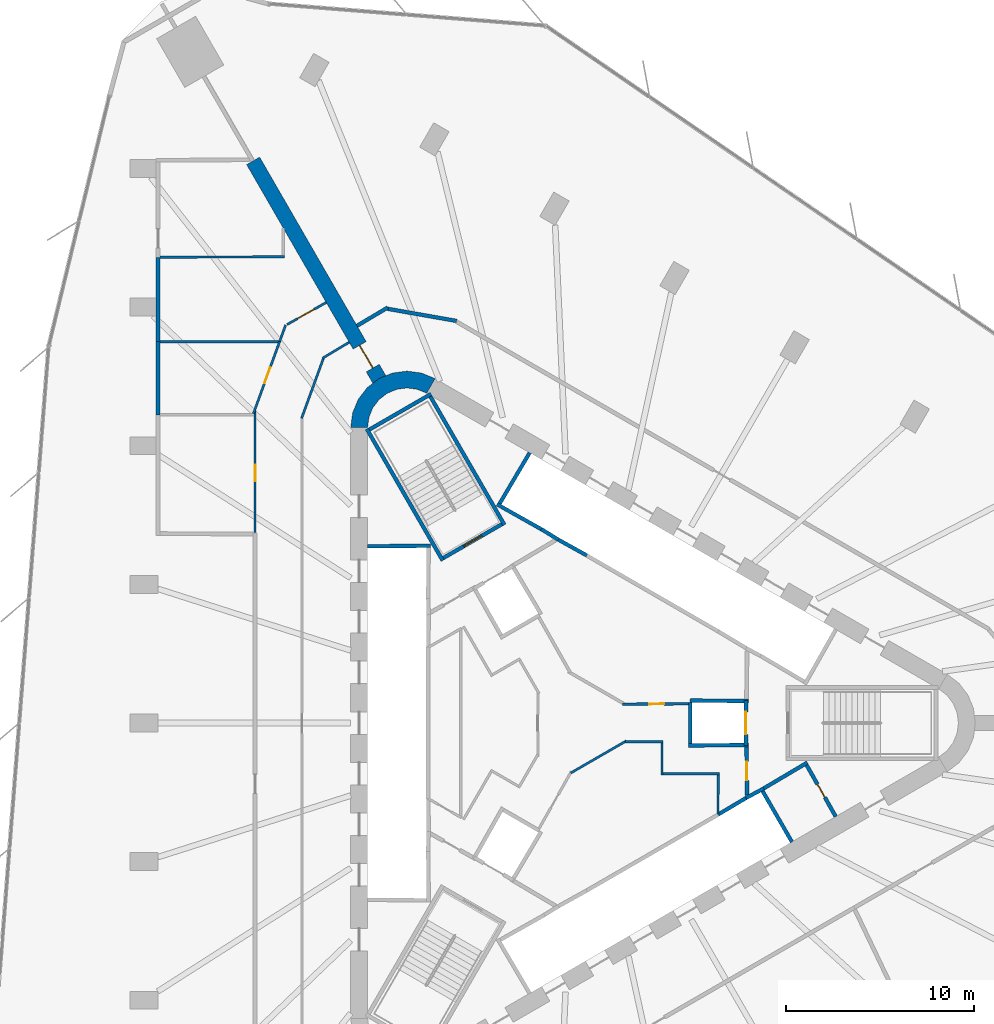
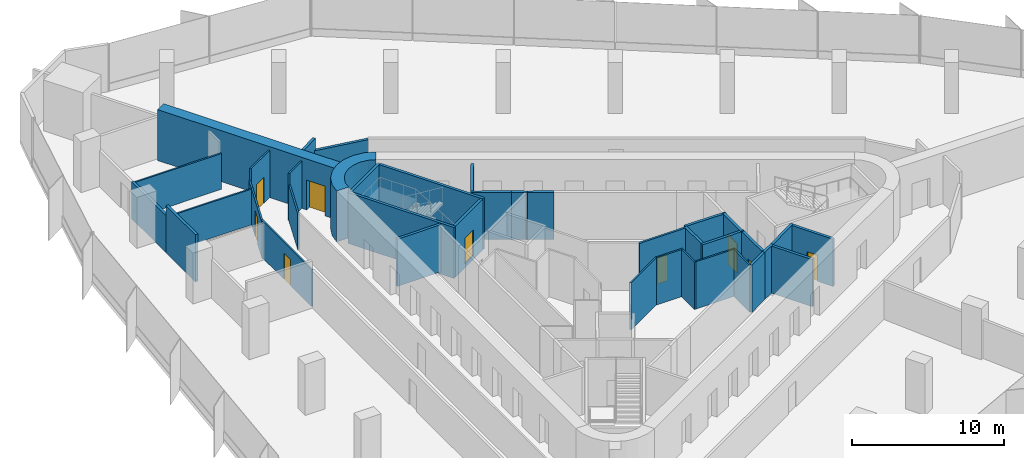
# One storey, part 11 of 14: 39 walls, 9 doors, 9 openings.
"""IFC4 building model written with IfcOpenShell, lengths in metres."""

from ifc_helpers import new_model, si_unit, direction, frame, frame_2d, origin, place, context, subcontext, project, spatial, polyline, rectangle, outline, extrude, material, layer, layer_set, type_object, element, fill, save


model = new_model("IFC4")

# Units and contexts
model_context = context("Model", 3, precision=1e-05, world=origin(), true_north=direction((0.0, 1.0)))
body_context = subcontext(model_context, "Body", "Model", "MODEL_VIEW")
ifc_project = project(units=[si_unit("LENGTHUNIT", "METRE"), si_unit("AREAUNIT", "SQUARE_METRE"), si_unit("VOLUMEUNIT", "CUBIC_METRE"), si_unit("PLANEANGLEUNIT", "RADIAN"), si_unit("MASSUNIT", "GRAM", prefix="KILO")], contexts=[model_context])

# Site, building, storey
site_placement = place(None, origin())
site = spatial("IfcSite", under=ifc_project, at=site_placement, CompositionType="ELEMENT")
building_placement = place(site_placement, origin())
building = spatial("IfcBuilding", under=site, at=building_placement, Name="Tanit Gate Tower", CompositionType="ELEMENT")
storey_placement = place(building_placement, frame((0.0, 0.0, 90.60009765625)))
storey = spatial("IfcBuildingStorey", under=building, at=storey_placement, Name="L18", CompositionType="ELEMENT", Elevation=90.60009765625)

# Wall, opening, door
ifc_material_1 = material(Name="Concrete C60/75", Category="concrete")
ifc_layer_1 = layer(ifc_material_1, 0.800048828125)
ifc_layer_set_1 = layer_set([ifc_layer_1], Name="BUTTRESS FIN 800 C60/75")
wall_type_1 = type_object("IfcWallType", Name="BUTTRESS FIN 800 C60/75", PredefinedType="SHEAR", material=ifc_layer_set_1)
wall_1_placement = place(storey_placement, frame((-10.574951171875, 18.31640625, 0.0), z_axis=(0.0, 0.0, 1.0), x_axis=(-0.499995223427, 0.866028161523, 0.0)))
wall_1 = element("IfcWall", 1, at=wall_1_placement, inside=storey, type_object=wall_type_1, Name="BUTTRESS FIN", PredefinedType="SHEAR", context=body_context, shape_type="SweptSolid", body=[
    extrude(rectangle(XDim=13.455322265625, YDim=0.800048828125, at=frame_2d((6.7275390625, 0.0))), origin(), (0.0, 0.0, 1.0), 4.099853515625),
])
opening_1_placement = place(wall_1_placement, frame((0.699951171875, 0.0, 0.0)))
opening_1 = element("IfcOpeningElement", 2, at=opening_1_placement, cuts=wall_1, Name="Opening P14-S03-F-NW-1", PredefinedType="OPENING", context=body_context, shape_type="SweptSolid", body=[
    extrude(rectangle(XDim=1.39990234375, YDim=2.39990234375, at=frame_2d((0.699951171875, 1.199951171875))), frame((0.0, 0.41015625, 0.0), z_axis=(0.0, -1.0, 0.0), x_axis=(1.0, 0.0, 0.0)), (0.0, 0.0, 1.0), 0.820068359375),
])
ifc_material_2 = material(Name="Timber door leaf", Category="wood")
door_type_1 = type_object("IfcDoorType", Name="INT-DOOR-FIN-PAIR-1400", OperationType="NOTDEFINED", PredefinedType="NOTDEFINED", material=ifc_material_2)
door_1_placement = place(opening_1_placement, origin())
door_1 = element("IfcDoor", 3, at=door_1_placement, inside=storey, type_object=door_type_1, Name="Door P14-S03-F-NW-1", OperationType="DOUBLE_DOOR_SINGLE_SWING", OverallHeight=2.39990234375, OverallWidth=1.39990234375, PredefinedType="NOTDEFINED", context=body_context, shape_type="SweptSolid", body=[
    extrude(rectangle(XDim=1.39990234375, YDim=2.39990234375, at=frame_2d((0.699951171875, 1.199951171875))), frame((0.0, 0.02490234375, 0.0), z_axis=(0.0, -1.0, 0.0), x_axis=(1.0, 0.0, 0.0)), (0.0, 0.0, 1.0), 0.050048828125),
])
fill(opening_1, door_1)

# Walls
ifc_material_3 = material(Name="Concrete C60/75", Category="concrete")
ifc_layer_2 = layer(ifc_material_3, 0.89990234375)
ifc_layer_set_2 = layer_set([ifc_layer_2], Name="CORE WALL 900 C60/75")
wall_type_2 = type_object("IfcWallType", Name="CORE WALL 900 C60/75", PredefinedType="SHEAR", material=ifc_layer_set_2)
wall_2_placement = place(storey_placement, origin())
element("IfcWall", 4, at=wall_2_placement, inside=storey, type_object=wall_type_2, Name="CORE WALL CORNER", PredefinedType="SHEAR", context=body_context, shape_type="SweptSolid", body=[
    extrude(outline(polyline([(-7.60009765625, 18.359619140625), (-8.323486328125, 18.659423828125), (-9.10009765625, 18.76171875), (-9.87646484375, 18.659423828125), (-10.60009765625, 18.359619140625), (-11.22119140625, 17.883056640625), (-11.697998046875, 17.26171875), (-11.997802734375, 16.5380859375), (-12.10009765625, 15.76171875), (-11.199951171875, 15.76171875), (-11.12841796875, 16.30517578125), (-10.918701171875, 16.811767578125), (-10.5849609375, 17.24658203125), (-10.14990234375, 17.580322265625), (-9.6435546875, 17.7900390625), (-9.10009765625, 17.86181640625), (-8.556396484375, 17.7900390625), (-8.050048828125, 17.580322265625), (-7.60009765625, 18.359619140625)])), origin(), (0.0, 0.0, 1.0), 4.099853515625),
])
ifc_material_4 = material(Name="Fire-rated gypsum board partition")
ifc_layer_3 = layer(ifc_material_4, 0.199951171875)
ifc_layer_set_3 = layer_set([ifc_layer_3], Name="INT-WALL-COMPARTMENT")
wall_type_3 = type_object("IfcWallType", Name="INT-WALL-COMPARTMENT", PredefinedType="PARTITIONING", material=ifc_layer_set_3)
wall_3_placement = place(storey_placement, frame((12.244873046875, -2.10888671875, 0.0), z_axis=(0.0, 0.0, 1.0), x_axis=(-0.860414880418, -0.509594185166, 0.0)))
element("IfcWall", 5, at=wall_3_placement, inside=storey, type_object=wall_type_3, Name="Wall Compartment W057", PredefinedType="PARTITIONING", context=body_context, shape_type="SweptSolid", body=[
    extrude(rectangle(XDim=2.7001953125, YDim=0.199951171875, at=frame_2d((1.35009765625, 0.0))), origin(), (0.0, 0.0, 1.0), 3.7998046875),
])

# Wall, opening, door
wall_4_placement = place(storey_placement, frame((13.758056640625, -4.989501953125, 0.0), z_axis=(0.0, 0.0, 1.0), x_axis=(-0.491993409184, 0.87059892334, 0.0)))
wall_4 = element("IfcWall", 6, at=wall_4_placement, inside=storey, type_object=wall_type_3, Name="Wall Compartment W058", PredefinedType="PARTITIONING", context=body_context, shape_type="SweptSolid", body=[
    extrude(rectangle(XDim=3.150146484375, YDim=0.199951171875, at=frame_2d((1.5751953125, 0.0))), origin(), (0.0, 0.0, 1.0), 3.7998046875),
])
opening_2_placement = place(wall_4_placement, frame((1.175048828125, 0.0, 0.0)))
opening_2 = element("IfcOpeningElement", 7, at=opening_2_placement, cuts=wall_4, Name="Opening R08-S03-14", PredefinedType="OPENING", context=body_context, shape_type="SweptSolid", body=[
    extrude(rectangle(XDim=0.800048828125, YDim=2.10009765625, at=frame_2d((0.39990234375, 1.050048828125))), frame((0.0, 0.10986328125, 0.0), z_axis=(0.0, -1.0, 0.0), x_axis=(1.0, 0.0, 0.0)), (0.0, 0.0, 1.0), 0.219970703125),
])
ifc_material_5 = material(Name="Timber door leaf", Category="wood")
door_type_2 = type_object("IfcDoorType", Name="INT-DOOR-RISER-800", OperationType="NOTDEFINED", PredefinedType="USERDEFINED", material=ifc_material_5)
door_2_placement = place(opening_2_placement, origin())
door_2 = element("IfcDoor", 8, at=door_2_placement, inside=storey, type_object=door_type_2, Name="Door R08-S03-14", ObjectType="FIRE DOOR", OperationType="SINGLE_SWING_RIGHT", OverallHeight=2.10009765625, OverallWidth=0.800048828125, PredefinedType="USERDEFINED", context=body_context, shape_type="SweptSolid", body=[
    extrude(rectangle(XDim=0.800048828125, YDim=2.10009765625, at=frame_2d((0.39990234375, 1.050048828125))), frame((0.0, 0.02490234375, 0.0), z_axis=(0.0, -1.0, 0.0), x_axis=(1.0, 0.0, 0.0)), (0.0, 0.0, 1.0), 0.050048828125),
])
fill(opening_2, door_2)

wall_5_placement = place(storey_placement, frame((9.02880859375, -3.850830078125, 0.0), z_axis=(0.0, 0.0, 1.0), x_axis=(-0.010783593937, 0.99994185536, 0.0)))
wall_5 = element("IfcWall", 9, at=wall_5_placement, inside=storey, type_object=wall_type_3, Name="Wall Compartment W060", PredefinedType="PARTITIONING", context=body_context, shape_type="SweptSolid", body=[
    extrude(rectangle(XDim=2.5810546875, YDim=0.199951171875, at=frame_2d((1.29052734375, 0.0))), origin(), (0.0, 0.0, 1.0), 3.7998046875),
])
opening_3_placement = place(wall_5_placement, frame((0.79052734375, 0.0, 0.0)))
opening_3 = element("IfcOpeningElement", 10, at=opening_3_placement, cuts=wall_5, Name="Opening F10-S03-02", PredefinedType="OPENING", context=body_context, shape_type="SweptSolid", body=[
    extrude(rectangle(XDim=1.0, YDim=2.10009765625, at=frame_2d((0.5, 1.050048828125))), frame((0.0, 0.10986328125, 0.0), z_axis=(0.0, -1.0, 0.0), x_axis=(1.0, 0.0, 0.0)), (0.0, 0.0, 1.0), 0.219970703125),
])
ifc_material_6 = material(Name="Fire-rated steel door leaf", Category="steel")
door_type_3 = type_object("IfcDoorType", Name="INT-DOOR-FIRE-1000", OperationType="NOTDEFINED", PredefinedType="USERDEFINED", material=ifc_material_6)
door_3_placement = place(opening_3_placement, origin())
door_3 = element("IfcDoor", 11, at=door_3_placement, inside=storey, type_object=door_type_3, Name="Door F10-S03-02", ObjectType="FIRE DOOR", OperationType="SINGLE_SWING_RIGHT", OverallHeight=2.10009765625, OverallWidth=1.0, PredefinedType="USERDEFINED", context=body_context, shape_type="SweptSolid", body=[
    extrude(rectangle(XDim=1.0, YDim=2.10009765625, at=frame_2d((0.5, 1.050048828125))), frame((0.0, 0.02490234375, 0.0), z_axis=(0.0, -1.0, 0.0), x_axis=(1.0, 0.0, 0.0)), (0.0, 0.0, 1.0), 0.050048828125),
])
fill(opening_3, door_3)

# Walls
wall_6_placement = place(storey_placement, frame((-10.11767578125, 22.157470703125, 0.0), z_axis=(0.0, 0.0, 1.0), x_axis=(-0.859118225537, -0.511777172752, 0.0)))
element("IfcWall", 12, at=wall_6_placement, inside=storey, type_object=wall_type_3, Name="Wall Compartment W096", PredefinedType="PARTITIONING", context=body_context, shape_type="SweptSolid", body=[
    extrude(rectangle(XDim=1.916748046875, YDim=0.199951171875, at=frame_2d((0.95849609375, 0.0))), origin(), (0.0, 0.0, 1.0), 3.7998046875),
])
wall_7_placement = place(storey_placement, frame((-6.458984375, 21.435546875, 0.0), z_axis=(0.0, 0.0, 1.0), x_axis=(-0.984812903812, 0.173618963498, 0.0)))
element("IfcWall", 13, at=wall_7_placement, inside=storey, type_object=wall_type_3, Name="Wall Compartment W097", PredefinedType="PARTITIONING", context=body_context, shape_type="SweptSolid", body=[
    extrude(rectangle(XDim=3.76708984375, YDim=0.199951171875, at=frame_2d((1.883544921875, 0.0))), origin(), (0.0, 0.0, 1.0), 2.8798828125),
])
wall_8_placement = place(storey_placement, frame((-22.3701171875, 16.431396484375, 0.0), z_axis=(0.0, 0.0, 1.0), x_axis=(0.0, 1.0, 0.0)))
element("IfcWall", 14, at=wall_8_placement, inside=storey, type_object=wall_type_3, Name="Wall Compartment W113", PredefinedType="PARTITIONING", context=body_context, shape_type="SweptSolid", body=[
    extrude(rectangle(XDim=3.89794921875, YDim=0.199951171875, at=frame_2d((1.948974609375, 0.0))), origin(), (0.0, 0.0, 1.0), 3.7998046875),
])
wall_9_placement = place(storey_placement, frame((-22.3701171875, 20.329345703125, 0.0), z_axis=(0.0, 0.0, 1.0), x_axis=(0.0, 1.0, 0.0)))
element("IfcWall", 15, at=wall_9_placement, inside=storey, type_object=wall_type_3, Name="Wall Compartment W114", PredefinedType="PARTITIONING", context=body_context, shape_type="SweptSolid", body=[
    extrude(rectangle(XDim=4.499755859375, YDim=0.199951171875, at=frame_2d((2.25, 0.0))), origin(), (0.0, 0.0, 1.0), 2.97998046875),
])
ifc_material_7 = material(Name="Gypsum board partition")
ifc_layer_4 = layer(ifc_material_7, 0.1201171875)
ifc_layer_set_4 = layer_set([ifc_layer_4], Name="INT-WALL-PARTITION")
wall_type_4 = type_object("IfcWallType", Name="INT-WALL-PARTITION", PredefinedType="PARTITIONING", material=ifc_layer_set_4)
wall_10_placement = place(storey_placement, frame((2.6015625, -0.947998046875, 0.0), z_axis=(0.0, 0.0, 1.0), x_axis=(-0.866025804792, -0.499999305434, 0.0)))
element("IfcWall", 16, at=wall_10_placement, inside=storey, type_object=wall_type_4, Name="Wall Partition W069", PredefinedType="PARTITIONING", context=body_context, shape_type="SweptSolid", body=[
    extrude(rectangle(XDim=3.43505859375, YDim=0.1201171875, at=frame_2d((1.717529296875, 0.0))), origin(), (0.0, 0.0, 1.0), 3.7998046875),
])
wall_11_placement = place(storey_placement, frame((4.56005859375, -1.0, 0.0), z_axis=(0.0, 0.0, 1.0), x_axis=(-1.0, 0.0, 0.0)))
element("IfcWall", 17, at=wall_11_placement, inside=storey, type_object=wall_type_4, Name="Wall Partition W070", PredefinedType="PARTITIONING", context=body_context, shape_type="SweptSolid", body=[
    extrude(rectangle(XDim=2.030029296875, YDim=0.1201171875, at=frame_2d((1.01513671875, 0.0))), origin(), (0.0, 0.0, 1.0), 3.7998046875),
])
wall_12_placement = place(storey_placement, frame((4.5, -2.760009765625, 0.0), z_axis=(0.0, 0.0, 1.0), x_axis=(0.0, 1.0, 0.0)))
element("IfcWall", 18, at=wall_12_placement, inside=storey, type_object=wall_type_4, Name="Wall Partition W071", PredefinedType="PARTITIONING", context=body_context, shape_type="SweptSolid", body=[
    extrude(rectangle(XDim=1.699951171875, YDim=0.1201171875, at=frame_2d((0.85009765625, 0.0))), origin(), (0.0, 0.0, 1.0), 3.7998046875),
])
wall_13_placement = place(storey_placement, frame((7.56005859375, -2.699951171875, 0.0), z_axis=(0.0, 0.0, 1.0), x_axis=(-1.0, 0.0, 0.0)))
element("IfcWall", 19, at=wall_13_placement, inside=storey, type_object=wall_type_4, Name="Wall Partition W072", PredefinedType="PARTITIONING", context=body_context, shape_type="SweptSolid", body=[
    extrude(rectangle(XDim=3.0, YDim=0.1201171875, at=frame_2d((1.5, 0.0))), origin(), (0.0, 0.0, 1.0), 3.7998046875),
])
wall_14_placement = place(storey_placement, frame((7.474609375, -4.864501953125, 0.0), z_axis=(0.0, 0.0, 1.0), x_axis=(0.011716133148, 0.999931363757, 0.0)))
element("IfcWall", 20, at=wall_14_placement, inside=storey, type_object=wall_type_4, Name="Wall Partition W073", PredefinedType="PARTITIONING", context=body_context, shape_type="SweptSolid", body=[
    extrude(rectangle(XDim=2.104736328125, YDim=0.1201171875, at=frame_2d((1.05224609375, 0.0))), origin(), (0.0, 0.0, 1.0), 3.7998046875),
])
wall_15_placement = place(storey_placement, frame((-12.181396484375, 20.299072265625, 0.0), z_axis=(0.0, 0.0, 1.0), x_axis=(-0.8583241935, -0.51310776534, 0.0)))
element("IfcWall", 21, at=wall_15_placement, inside=storey, type_object=wall_type_4, Name="Wall Partition W084", PredefinedType="PARTITIONING", context=body_context, shape_type="SweptSolid", body=[
    extrude(rectangle(XDim=1.65625, YDim=0.1201171875, at=frame_2d((0.828125, 0.0))), origin(), (0.0, 0.0, 1.0), 3.7998046875),
])
wall_16_placement = place(storey_placement, frame((-13.54931640625, 19.461181640625, 0.0), z_axis=(0.0, 0.0, 1.0), x_axis=(-0.341989191955, -0.939703885586, 0.0)))
element("IfcWall", 22, at=wall_16_placement, inside=storey, type_object=wall_type_4, Name="Wall Partition W085", PredefinedType="PARTITIONING", context=body_context, shape_type="SweptSolid", body=[
    extrude(rectangle(XDim=3.424560546875, YDim=0.1201171875, at=frame_2d((1.71240234375, 0.0))), origin(), (0.0, 0.0, 1.0), 2.8798828125),
])

# Wall, opening, door
wall_17_placement = place(storey_placement, frame((-17.199951171875, 16.740234375, 0.0), z_axis=(0.0, 0.0, 1.0), x_axis=(0.0, -1.0, 0.0)))
wall_17 = element("IfcWall", 23, at=wall_17_placement, inside=storey, type_object=wall_type_4, Name="Wall Partition W092", PredefinedType="PARTITIONING", context=body_context, shape_type="SweptSolid", body=[
    extrude(rectangle(XDim=6.5703125, YDim=0.1201171875, at=frame_2d((3.28515625, 0.0))), origin(), (0.0, 0.0, 1.0), 2.97998046875),
])
opening_4_placement = place(wall_17_placement, frame((2.959716796875, 0.0, 0.0)))
opening_4 = element("IfcOpeningElement", 24, at=opening_4_placement, cuts=wall_17, Name="Opening D09-S03-16", PredefinedType="OPENING", context=body_context, shape_type="SweptSolid", body=[
    extrude(rectangle(XDim=0.89990234375, YDim=2.10009765625, at=frame_2d((0.449951171875, 1.050048828125))), frame((0.0, 0.070068359375, 0.0), z_axis=(0.0, -1.0, 0.0), x_axis=(1.0, 0.0, 0.0)), (0.0, 0.0, 1.0), 0.14013671875),
])
ifc_material_8 = material(Name="Timber door leaf", Category="wood")
door_type_4 = type_object("IfcDoorType", Name="INT-DOOR-SINGLE-900", OperationType="NOTDEFINED", PredefinedType="NOTDEFINED", material=ifc_material_8)
door_4_placement = place(opening_4_placement, origin())
door_4 = element("IfcDoor", 25, at=door_4_placement, inside=storey, type_object=door_type_4, Name="Door D09-S03-16", OperationType="SINGLE_SWING_LEFT", OverallHeight=2.10009765625, OverallWidth=0.89990234375, PredefinedType="NOTDEFINED", context=body_context, shape_type="SweptSolid", body=[
    extrude(rectangle(XDim=0.89990234375, YDim=2.10009765625, at=frame_2d((0.449951171875, 1.050048828125))), frame((0.0, 0.02490234375, 0.0), z_axis=(0.0, -1.0, 0.0), x_axis=(1.0, 0.0, 0.0)), (0.0, 0.0, 1.0), 0.050048828125),
])
fill(opening_4, door_4)

# Wall
wall_18_placement = place(storey_placement, frame((-15.5703125, 21.218017578125, 0.0), z_axis=(0.0, 0.0, 1.0), x_axis=(-0.342015355476, -0.939694363407, 0.0)))
element("IfcWall", 26, at=wall_18_placement, inside=storey, type_object=wall_type_4, Name="Wall Partition W094", PredefinedType="PARTITIONING", context=body_context, shape_type="SweptSolid", body=[
    extrude(rectangle(XDim=0.935791015625, YDim=0.1201171875, at=frame_2d((0.4677734375, 0.0))), origin(), (0.0, 0.0, 1.0), 2.8798828125),
])

# Wall, opening, door
wall_19_placement = place(storey_placement, frame((-15.890380859375, 20.338623046875, 0.0), z_axis=(0.0, 0.0, 1.0), x_axis=(-0.341977654868, -0.939708084232, 0.0)))
wall_19 = element("IfcWall", 27, at=wall_19_placement, inside=storey, type_object=wall_type_4, Name="Wall Partition W093", PredefinedType="PARTITIONING", context=body_context, shape_type="SweptSolid", body=[
    extrude(rectangle(XDim=4.09423828125, YDim=0.1201171875, at=frame_2d((2.047119140625, 0.0))), origin(), (0.0, 0.0, 1.0), 2.8798828125),
])
opening_5_placement = place(wall_19_placement, frame((1.464599609375, 0.0, 0.0)))
opening_5 = element("IfcOpeningElement", 28, at=opening_5_placement, cuts=wall_19, Name="Opening D09-S03-17", PredefinedType="OPENING", context=body_context, shape_type="SweptSolid", body=[
    extrude(rectangle(XDim=0.89990234375, YDim=2.10009765625, at=frame_2d((0.449951171875, 1.050048828125))), frame((0.0, 0.070068359375, 0.0), z_axis=(0.0, -1.0, 0.0), x_axis=(1.0, 0.0, 0.0)), (0.0, 0.0, 1.0), 0.14013671875),
])
door_5_placement = place(opening_5_placement, origin())
door_5 = element("IfcDoor", 29, at=door_5_placement, inside=storey, type_object=door_type_4, Name="Door D09-S03-17", OperationType="SINGLE_SWING_RIGHT", OverallHeight=2.10009765625, OverallWidth=0.89990234375, PredefinedType="NOTDEFINED", context=body_context, shape_type="SweptSolid", body=[
    extrude(rectangle(XDim=0.89990234375, YDim=2.10009765625, at=frame_2d((0.449951171875, 1.050048828125))), frame((0.0, 0.02490234375, 0.0), z_axis=(0.0, -1.0, 0.0), x_axis=(1.0, 0.0, 0.0)), (0.0, 0.0, 1.0), 0.050048828125),
])
fill(opening_5, door_5)

wall_20_placement = place(storey_placement, frame((-13.406494140625, 22.4208984375, 0.0), z_axis=(0.0, 0.0, 1.0), x_axis=(-0.87117593963, -0.490970958622, 0.0)))
wall_20 = element("IfcWall", 30, at=wall_20_placement, inside=storey, type_object=wall_type_4, Name="Wall Partition W095", PredefinedType="PARTITIONING", context=body_context, shape_type="SweptSolid", body=[
    extrude(rectangle(XDim=2.400390625, YDim=0.1201171875, at=frame_2d((1.2001953125, 0.0))), origin(), (0.0, 0.0, 1.0), 3.7998046875),
])
opening_6_placement = place(wall_20_placement, frame((0.75, 0.0, 0.0)))
opening_6 = element("IfcOpeningElement", 31, at=opening_6_placement, cuts=wall_20, Name="Opening D10-S03-18", PredefinedType="OPENING", context=body_context, shape_type="SweptSolid", body=[
    extrude(rectangle(XDim=1.0, YDim=2.10009765625, at=frame_2d((0.5, 1.050048828125))), frame((0.0, 0.070068359375, 0.0), z_axis=(0.0, -1.0, 0.0), x_axis=(1.0, 0.0, 0.0)), (0.0, 0.0, 1.0), 0.14013671875),
])
ifc_material_9 = material(Name="Timber door leaf", Category="wood")
door_type_5 = type_object("IfcDoorType", Name="INT-DOOR-SINGLE-1000", OperationType="NOTDEFINED", PredefinedType="NOTDEFINED", material=ifc_material_9)
door_6_placement = place(opening_6_placement, origin())
door_6 = element("IfcDoor", 32, at=door_6_placement, inside=storey, type_object=door_type_5, Name="Door D10-S03-18", OperationType="SINGLE_SWING_RIGHT", OverallHeight=2.10009765625, OverallWidth=1.0, PredefinedType="NOTDEFINED", context=body_context, shape_type="SweptSolid", body=[
    extrude(rectangle(XDim=1.0, YDim=2.10009765625, at=frame_2d((0.5, 1.050048828125))), frame((0.0, 0.02490234375, 0.0), z_axis=(0.0, -1.0, 0.0), x_axis=(1.0, 0.0, 0.0)), (0.0, 0.0, 1.0), 0.050048828125),
])
fill(opening_6, door_6)

# Walls
wall_21_placement = place(storey_placement, frame((-22.27001953125, 20.329345703125, 0.0), z_axis=(0.0, 0.0, 1.0), x_axis=(1.0, 0.0, 0.0)))
element("IfcWall", 33, at=wall_21_placement, inside=storey, type_object=wall_type_4, Name="Wall Partition W121", PredefinedType="PARTITIONING", context=body_context, shape_type="SweptSolid", body=[
    extrude(rectangle(XDim=6.3125, YDim=0.1201171875, at=frame_2d((3.15625, 0.0))), origin(), (0.0, 0.0, 1.0), 2.8798828125),
])
wall_22_placement = place(storey_placement, frame((-15.639892578125, 24.859375, 0.0), z_axis=(0.0, 0.0, 1.0), x_axis=(-0.999989909342, -0.004492350736, 0.0)))
element("IfcWall", 34, at=wall_22_placement, inside=storey, type_object=wall_type_4, Name="Wall Partition W122", PredefinedType="PARTITIONING", context=body_context, shape_type="SweptSolid", body=[
    extrude(rectangle(XDim=6.630126953125, YDim=0.1201171875, at=frame_2d((3.31494140625, 0.0))), origin(), (0.0, 0.0, 1.0), 2.8798828125),
])

# Wall, opening, door
ifc_material_10 = material(Name="Fire-rated gypsum board partition")
ifc_layer_5 = layer(ifc_material_10, 0.14990234375)
ifc_layer_set_5 = layer_set([ifc_layer_5], Name="INT-WALL-RISER")
wall_type_5 = type_object("IfcWallType", Name="INT-WALL-RISER", PredefinedType="PLUMBINGWALL", material=ifc_layer_set_5)
wall_23_placement = place(storey_placement, frame((2.384033203125, 0.9990234375, 0.0), z_axis=(0.0, 0.0, 1.0), x_axis=(0.999964703434, 0.008401897723, 0.0)))
wall_23 = element("IfcWall", 35, at=wall_23_placement, inside=storey, type_object=wall_type_5, Name="Wall Riser W065", PredefinedType="PLUMBINGWALL", context=body_context, shape_type="SweptSolid", body=[
    extrude(rectangle(XDim=3.51611328125, YDim=0.14990234375, at=frame_2d((1.758056640625, 0.0))), origin(), (0.0, 0.0, 1.0), 3.7998046875),
])
opening_7_placement = place(wall_23_placement, frame((1.421630859375, 0.0, 0.0)))
opening_7 = element("IfcOpeningElement", 36, at=opening_7_placement, cuts=wall_23, Name="Opening R08-S03-10", PredefinedType="OPENING", context=body_context, shape_type="SweptSolid", body=[
    extrude(rectangle(XDim=0.800048828125, YDim=2.10009765625, at=frame_2d((0.39990234375, 1.050048828125))), frame((0.0, 0.0849609375, 0.0), z_axis=(0.0, -1.0, 0.0), x_axis=(1.0, 0.0, 0.0)), (0.0, 0.0, 1.0), 0.169921875),
])
door_7_placement = place(opening_7_placement, origin())
door_7 = element("IfcDoor", 37, at=door_7_placement, inside=storey, type_object=door_type_2, Name="Door R08-S03-10", ObjectType="FIRE DOOR", OperationType="SINGLE_SWING_LEFT", OverallHeight=2.10009765625, OverallWidth=0.800048828125, PredefinedType="USERDEFINED", context=body_context, shape_type="SweptSolid", body=[
    extrude(rectangle(XDim=0.800048828125, YDim=2.10009765625, at=frame_2d((0.39990234375, 1.050048828125))), frame((0.0, 0.02490234375, 0.0), z_axis=(0.0, -1.0, 0.0), x_axis=(1.0, 0.0, 0.0)), (0.0, 0.0, 1.0), 0.050048828125),
])
fill(opening_7, door_7)

# Walls
ifc_material_11 = material(Name="Gypsum shaft wall system")
ifc_layer_6 = layer(ifc_material_11, 0.199951171875)
ifc_layer_set_6 = layer_set([ifc_layer_6], Name="INT-WALL-SHAFT")
wall_type_6 = type_object("IfcWallType", Name="INT-WALL-SHAFT", PredefinedType="PLUMBINGWALL", material=ifc_layer_set_6)
wall_24_placement = place(storey_placement, frame((-11.199951171875, 9.419921875, 0.0), z_axis=(0.0, 0.0, 1.0), x_axis=(0.999957167047, 0.009255488683, 0.0)))
element("IfcWall", 38, at=wall_24_placement, inside=storey, type_object=wall_type_6, Name="Wall Shaft W001", PredefinedType="PLUMBINGWALL", context=body_context, shape_type="SweptSolid", body=[
    extrude(rectangle(XDim=3.35009765625, YDim=0.199951171875, at=frame_2d((1.675048828125, 0.0))), origin(), (0.0, 0.0, 1.0), 3.7998046875),
])
wall_25_placement = place(storey_placement, frame((-1.940673828125, 10.338623046875, 0.0), z_axis=(0.0, 0.0, 1.0), x_axis=(0.850216889117, -0.526432561171, 0.0)))
element("IfcWall", 39, at=wall_25_placement, inside=storey, type_object=wall_type_6, Name="Wall Shaft W019", PredefinedType="PLUMBINGWALL", context=body_context, shape_type="SweptSolid", body=[
    extrude(rectangle(XDim=1.078369140625, YDim=0.199951171875, at=frame_2d((0.5390625, 0.0))), origin(), (0.0, 0.0, 1.0), 3.7998046875),
])
wall_26_placement = place(storey_placement, frame((0.482666015625, 8.935791015625, 0.0), z_axis=(0.0, 0.0, 1.0), x_axis=(-0.874269620932, 0.485440655401, 0.0)))
element("IfcWall", 40, at=wall_26_placement, inside=storey, type_object=wall_type_6, Name="Wall Shaft W020", PredefinedType="PLUMBINGWALL", context=body_context, shape_type="SweptSolid", body=[
    extrude(rectangle(XDim=1.8447265625, YDim=0.199951171875, at=frame_2d((0.92236328125, 0.0))), origin(), (0.0, 0.0, 1.0), 3.7998046875),
])
wall_27_placement = place(storey_placement, frame((-4.296142578125, 11.658935546875, 0.0), z_axis=(0.0, 0.0, 1.0), x_axis=(0.871534483978, -0.490334215854, 0.0)))
element("IfcWall", 41, at=wall_27_placement, inside=storey, type_object=wall_type_6, Name="Wall Shaft W021", PredefinedType="PLUMBINGWALL", context=body_context, shape_type="SweptSolid", body=[
    extrude(rectangle(XDim=2.7001953125, YDim=0.199951171875, at=frame_2d((1.35009765625, 0.0))), origin(), (0.0, 0.0, 1.0), 3.7998046875),
])
wall_28_placement = place(storey_placement, frame((-4.158203125, 11.696044921875, 0.0), z_axis=(0.0, 0.0, 1.0), x_axis=(0.508018930956, 0.861345903683, 0.0)))
element("IfcWall", 42, at=wall_28_placement, inside=storey, type_object=wall_type_6, Name="Wall Shaft W022", PredefinedType="PLUMBINGWALL", context=body_context, shape_type="SweptSolid", body=[
    extrude(rectangle(XDim=3.150146484375, YDim=0.199951171875, at=frame_2d((1.5751953125, 0.0))), origin(), (0.0, 0.0, 1.0), 3.7998046875),
])
wall_29_placement = place(storey_placement, frame((9.794677734375, -3.52490234375, 0.0), z_axis=(0.0, 0.0, 1.0), x_axis=(0.499984717929, -0.866034226713, 0.0)))
element("IfcWall", 43, at=wall_29_placement, inside=storey, type_object=wall_type_6, Name="Wall Shaft W024", PredefinedType="PLUMBINGWALL", context=body_context, shape_type="SweptSolid", body=[
    extrude(rectangle(XDim=3.25, YDim=0.199951171875, at=frame_2d((1.625, 0.0))), origin(), (0.0, 0.0, 1.0), 3.7998046875),
])
wall_30_placement = place(storey_placement, frame((8.97412109375, -3.998779296875, 0.0), z_axis=(0.0, 0.0, 1.0), x_axis=(0.880907015104, 0.473289373154, 0.0)))
element("IfcWall", 44, at=wall_30_placement, inside=storey, type_object=wall_type_6, Name="Wall Shaft W025", PredefinedType="PLUMBINGWALL", context=body_context, shape_type="SweptSolid", body=[
    extrude(rectangle(XDim=1.078125, YDim=0.199951171875, at=frame_2d((0.5390625, 0.0))), origin(), (0.0, 0.0, 1.0), 3.7998046875),
])
wall_31_placement = place(storey_placement, frame((7.4931640625, -4.87841796875, 0.0), z_axis=(0.0, 0.0, 1.0), x_axis=(0.859981807212, 0.510324691999, 0.0)))
element("IfcWall", 45, at=wall_31_placement, inside=storey, type_object=wall_type_6, Name="Wall Shaft W026", PredefinedType="PLUMBINGWALL", context=body_context, shape_type="SweptSolid", body=[
    extrude(rectangle(XDim=1.8447265625, YDim=0.199951171875, at=frame_2d((0.92236328125, 0.0))), origin(), (0.0, 0.0, 1.0), 3.7998046875),
])

# Wall, opening, door
wall_32_placement = place(storey_placement, frame((8.969970703125, 1.199951171875, 0.0), z_axis=(0.0, 0.0, 1.0), x_axis=(0.0, -1.0, 0.0)))
wall_32 = element("IfcWall", 46, at=wall_32_placement, inside=storey, type_object=wall_type_6, Name="Wall Shaft W037", PredefinedType="PLUMBINGWALL", context=body_context, shape_type="SweptSolid", body=[
    extrude(rectangle(XDim=2.39990234375, YDim=0.199951171875, at=frame_2d((1.199951171875, 0.0))), origin(), (0.0, 0.0, 1.0), 3.7998046875),
])
opening_8_placement = place(wall_32_placement, frame((0.60009765625, 0.0, 0.0)))
opening_8 = element("IfcOpeningElement", 47, at=opening_8_placement, cuts=wall_32, Name="Opening LDFL1-L18", PredefinedType="OPENING", context=body_context, shape_type="SweptSolid", body=[
    extrude(rectangle(XDim=1.199951171875, YDim=2.39990234375, at=frame_2d((0.60009765625, 1.199951171875))), frame((0.0, 0.10986328125, 0.0), z_axis=(0.0, -1.0, 0.0), x_axis=(1.0, 0.0, 0.0)), (0.0, 0.0, 1.0), 0.219970703125),
])
ifc_material_12 = material(Name="Stainless steel sliding door leaf", Category="steel")
door_type_6 = type_object("IfcDoorType", Name="INT-DOOR-LANDING-1200", OperationType="NOTDEFINED", PredefinedType="USERDEFINED", material=ifc_material_12)
door_8_placement = place(opening_8_placement, origin())
door_8 = element("IfcDoor", 48, at=door_8_placement, inside=storey, type_object=door_type_6, Name="Door LDFL1-L18", ObjectType="LANDING DOOR", OperationType="SLIDING_TO_LEFT", OverallHeight=2.39990234375, OverallWidth=1.199951171875, PredefinedType="USERDEFINED", context=body_context, shape_type="SweptSolid", body=[
    extrude(rectangle(XDim=1.199951171875, YDim=2.39990234375, at=frame_2d((0.60009765625, 1.199951171875))), frame((0.0, 0.02490234375, 0.0), z_axis=(0.0, -1.0, 0.0), x_axis=(1.0, 0.0, 0.0)), (0.0, 0.0, 1.0), 0.050048828125),
])
fill(opening_8, door_8)

# Walls
wall_33_placement = place(storey_placement, frame((6.0, 1.199951171875, 0.0), z_axis=(0.0, 0.0, 1.0), x_axis=(0.999949988, -0.010001074852, 0.0)))
element("IfcWall", 49, at=wall_33_placement, inside=storey, type_object=wall_type_6, Name="Wall Shaft W038", PredefinedType="PLUMBINGWALL", context=body_context, shape_type="SweptSolid", body=[
    extrude(rectangle(XDim=3.100341796875, YDim=0.199951171875, at=frame_2d((1.55029296875, 0.0))), origin(), (0.0, 0.0, 1.0), 3.7998046875),
])
wall_34_placement = place(storey_placement, frame((5.89990234375, -1.200927734375, 0.0), z_axis=(0.0, 0.0, 1.0), x_axis=(0.999950064753, 0.009993397809, 0.0)))
element("IfcWall", 50, at=wall_34_placement, inside=storey, type_object=wall_type_6, Name="Wall Shaft W039", PredefinedType="PLUMBINGWALL", context=body_context, shape_type="SweptSolid", body=[
    extrude(rectangle(XDim=3.200439453125, YDim=0.199951171875, at=frame_2d((1.60009765625, 0.0))), origin(), (0.0, 0.0, 1.0), 3.7998046875),
])
wall_35_placement = place(storey_placement, frame((6.0, -1.10009765625, 0.0), z_axis=(0.0, 0.0, 1.0), x_axis=(0.0, 1.0, 0.0)))
element("IfcWall", 51, at=wall_35_placement, inside=storey, type_object=wall_type_6, Name="Wall Shaft W040", PredefinedType="PLUMBINGWALL", context=body_context, shape_type="SweptSolid", body=[
    extrude(rectangle(XDim=2.20458984375, YDim=0.199951171875, at=frame_2d((1.102294921875, 0.0))), origin(), (0.0, 0.0, 1.0), 3.7998046875),
])
ifc_material_13 = material(Name="Concrete C40/50", Category="concrete")
ifc_layer_7 = layer(ifc_material_13, 0.199951171875)
ifc_layer_set_7 = layer_set([ifc_layer_7], Name="INT-WALL-STAIR")
wall_type_7 = type_object("IfcWallType", Name="INT-WALL-STAIR", PredefinedType="SHEAR", material=ifc_layer_set_7)
wall_36_placement = place(storey_placement, frame((-11.245361328125, 15.677734375, -0.300048828125), z_axis=(0.0, 0.0, 1.0), x_axis=(0.499977274689, -0.866038523851, 0.0)))
element("IfcWall", 52, at=wall_36_placement, inside=storey, type_object=wall_type_7, Name="Wall Stair W041", PredefinedType="SHEAR", context=body_context, shape_type="SweptSolid", body=[
    extrude(rectangle(XDim=8.10009765625, YDim=0.199951171875, at=frame_2d((4.050048828125, 0.0))), origin(), (0.0, 0.0, 1.0), 4.099853515625),
])
wall_37_placement = place(storey_placement, frame((-7.81787109375, 17.541015625, -0.300048828125), z_axis=(0.0, 0.0, 1.0), x_axis=(-0.866044365799, -0.499967155389, 0.0)))
element("IfcWall", 53, at=wall_37_placement, inside=storey, type_object=wall_type_7, Name="Wall Stair W042", PredefinedType="SHEAR", context=body_context, shape_type="SweptSolid", body=[
    extrude(rectangle(XDim=3.800048828125, YDim=0.199951171875, at=frame_2d((1.89990234375, 0.0))), origin(), (0.0, 0.0, 1.0), 4.099853515625),
])
wall_38_placement = place(storey_placement, frame((-7.8544921875, 17.404541015625, -0.300048828125), z_axis=(0.0, 0.0, 1.0), x_axis=(0.499997992926, -0.866026562566, 0.0)))
element("IfcWall", 54, at=wall_38_placement, inside=storey, type_object=wall_type_7, Name="Wall Stair W043", PredefinedType="SHEAR", context=body_context, shape_type="SweptSolid", body=[
    extrude(rectangle(XDim=7.89990234375, YDim=0.199951171875, at=frame_2d((3.949951171875, 0.0))), origin(), (0.0, 0.0, 1.0), 4.099853515625),
])

# Wall, opening, door
wall_39_placement = place(storey_placement, frame((-7.158935546875, 8.799560546875, -0.300048828125), z_axis=(0.0, 0.0, 1.0), x_axis=(0.866047807691, 0.499961193289, 0.0)))
wall_39 = element("IfcWall", 55, at=wall_39_placement, inside=storey, type_object=wall_type_7, Name="Wall Stair W044", PredefinedType="SHEAR", context=body_context, shape_type="SweptSolid", body=[
    extrude(rectangle(XDim=3.599853515625, YDim=0.199951171875, at=frame_2d((1.7998046875, 0.0))), origin(), (0.0, 0.0, 1.0), 4.099853515625),
])
opening_9_placement = place(wall_39_placement, frame((1.25, 0.0, 0.300048828125)))
opening_9 = element("IfcOpeningElement", 56, at=opening_9_placement, cuts=wall_39, Name="Opening S11-S03-04", PredefinedType="OPENING", context=body_context, shape_type="SweptSolid", body=[
    extrude(rectangle(XDim=1.10009765625, YDim=2.10009765625, at=frame_2d((0.550048828125, 1.050048828125))), frame((0.0, 0.10986328125, 0.0), z_axis=(0.0, -1.0, 0.0), x_axis=(1.0, 0.0, 0.0)), (0.0, 0.0, 1.0), 0.219970703125),
])
ifc_material_14 = material(Name="Timber door leaf", Category="wood")
door_type_7 = type_object("IfcDoorType", Name="INT-DOOR-STAIR-1100", OperationType="NOTDEFINED", PredefinedType="USERDEFINED", material=ifc_material_14)
door_9_placement = place(opening_9_placement, origin())
door_9 = element("IfcDoor", 57, at=door_9_placement, inside=storey, type_object=door_type_7, Name="Door S11-S03-04", ObjectType="FIRE DOOR", OperationType="SINGLE_SWING_LEFT", OverallHeight=2.10009765625, OverallWidth=1.10009765625, PredefinedType="USERDEFINED", context=body_context, shape_type="SweptSolid", body=[
    extrude(rectangle(XDim=1.10009765625, YDim=2.10009765625, at=frame_2d((0.550048828125, 1.050048828125))), frame((0.0, 0.02490234375, 0.0), z_axis=(0.0, -1.0, 0.0), x_axis=(1.0, 0.0, 0.0)), (0.0, 0.0, 1.0), 0.050048828125),
])
fill(opening_9, door_9)

save(model, "model.ifc")
